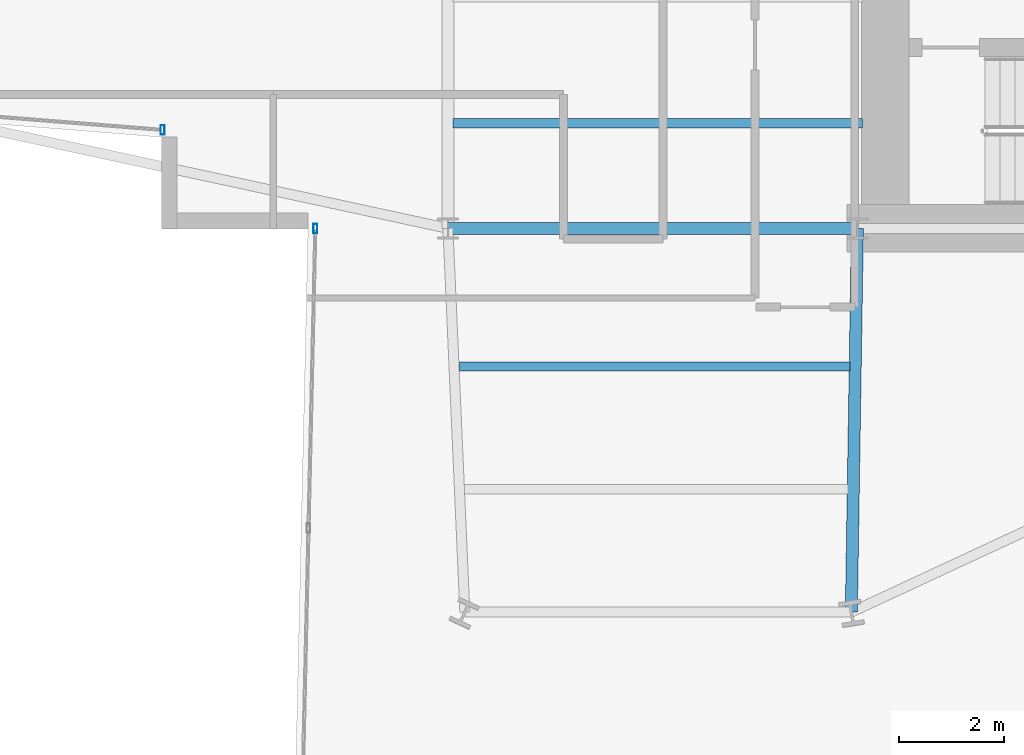
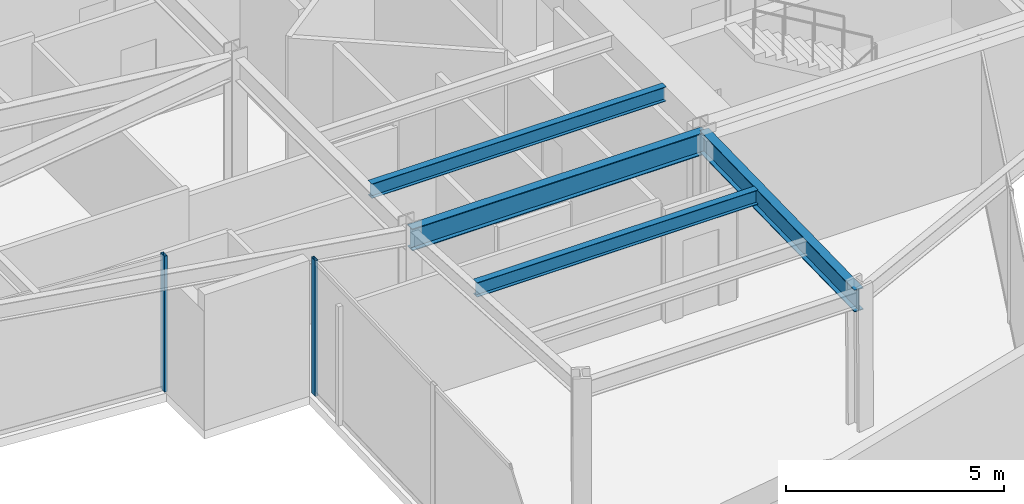
# One storey, part 5 of 27: 4 beams, 2 members, 2 elements without a shape of their own.
"""IFC4 building model written with IfcOpenShell, lengths in metres."""

from ifc_helpers import new_model, si_unit, direction, frame, origin, origin_2d, place, context, subcontext, project, spatial, hollow_rectangle, i_section, extrude, material, layer, layer_set, material_profile, profile_set, type_object, element, aggregate, save


model = new_model("IFC4")

# Units and contexts
model_context = context("Model", 3, precision=1e-05, world=origin(), true_north=direction((0.0, 1.0)))
body_context = subcontext(model_context, "Body", "Model", "MODEL_VIEW")
ifc_project = project(units=[si_unit("LENGTHUNIT", "METRE"), si_unit("AREAUNIT", "SQUARE_METRE"), si_unit("VOLUMEUNIT", "CUBIC_METRE"), si_unit("PLANEANGLEUNIT", "RADIAN"), si_unit("MASSUNIT", "GRAM", prefix="KILO")], contexts=[model_context])

# Site, building, storey
site_placement = place(None, origin())
site = spatial("IfcSite", under=ifc_project, at=site_placement, CompositionType="ELEMENT")
building_placement = place(site_placement, origin())
building = spatial("IfcBuilding", under=site, at=building_placement, Name="Veymaron Broadcast Tower", CompositionType="ELEMENT")
storey_placement = place(building_placement, frame((0.0, 0.0, 86.39990234375)))
storey = spatial("IfcBuildingStorey", under=building, at=storey_placement, Name="L19", CompositionType="ELEMENT", Elevation=86.39990234375)

# Beams
ifc_material_1 = material(Name="Structural steel ASTM A992 Gr 50", Category="steel")
ifc_material_profile_1 = material_profile(ifc_material_1, i_section(OverallWidth=0.22998046875, OverallDepth=0.616943359375, WebThickness=0.01318359375, FlangeThickness=0.022216796875, at=origin_2d()), Name="W610X140")
ifc_profile_set_1 = profile_set([ifc_material_profile_1], Name="Structural steel ASTM A992 Gr 50")
beam_type_1 = type_object("IfcBeamType", Name="BM-FG1", PredefinedType="BEAM", material=ifc_profile_set_1)
beam_1_placement = place(storey_placement, frame((31.199951171875, 16.0, 3.501708984375), z_axis=(1.0, 0.0, 0.0), x_axis=(0.0, 1.0, 0.0)))
element("IfcBeam", 1, at=beam_1_placement, inside=storey, type_object=beam_type_1, Name="L19 primary structural floor girder", PredefinedType="BEAM", context=body_context, shape_type="SweptSolid", body=[
    extrude(i_section(OverallWidth=0.22998046875, OverallDepth=0.616943359375, WebThickness=0.01318359375, FlangeThickness=0.022216796875, at=origin_2d()), origin(), (0.0, 0.0, 1.0), 7.800048828125),
])
beam_2_placement = place(storey_placement, frame((39.0, 16.0, 3.501708984375), z_axis=(-0.015728466279, -0.999876300023, 0.0), x_axis=(0.999876300023, -0.015728466279, 0.0)))
element("IfcBeam", 2, at=beam_2_placement, inside=storey, type_object=beam_type_1, Name="L19 primary structural floor girder", PredefinedType="BEAM", context=body_context, shape_type="SweptSolid", body=[
    extrude(i_section(OverallWidth=0.22998046875, OverallDepth=0.616943359375, WebThickness=0.01318359375, FlangeThickness=0.022216796875, at=origin_2d()), origin(), (0.0, 0.0, 1.0), 7.31103515625),
])
ifc_material_profile_2 = material_profile(ifc_material_1, i_section(OverallWidth=0.177978515625, OverallDepth=0.406982421875, WebThickness=0.0078125, FlangeThickness=0.0126953125, at=origin_2d()), Name="W410X60")
ifc_profile_set_2 = profile_set([ifc_material_profile_2], Name="Structural steel ASTM A992 Gr 50")
beam_type_2 = type_object("IfcBeamType", Name="BM-JS1", PredefinedType="JOIST", material=ifc_profile_set_2)
beam_3_placement = place(storey_placement, frame((31.416015625, 13.368408203125, 3.606689453125), z_axis=(1.0, 0.0, 0.0), x_axis=(0.0, 1.0, 0.0)))
element("IfcBeam", 3, at=beam_3_placement, inside=storey, type_object=beam_type_2, Name="L19 Arm-C secondary joist 1", PredefinedType="JOIST", context=body_context, shape_type="SweptSolid", body=[
    extrude(i_section(OverallWidth=0.177978515625, OverallDepth=0.406982421875, WebThickness=0.0078125, FlangeThickness=0.0126953125, at=origin_2d()), origin(), (0.0, 0.0, 1.0), 7.442626953125),
])
beam_4_placement = place(storey_placement, frame((31.300048828125, 18.0, 3.606689453125), z_axis=(1.0, 0.0, 0.0), x_axis=(0.0, 1.0, 0.0)))
element("IfcBeam", 4, at=beam_4_placement, inside=storey, type_object=beam_type_2, Name="L19 Hub secondary joist 1", PredefinedType="JOIST", context=body_context, shape_type="SweptSolid", body=[
    extrude(i_section(OverallWidth=0.177978515625, OverallDepth=0.406982421875, WebThickness=0.0078125, FlangeThickness=0.0126953125, at=origin_2d()), origin(), (0.0, 0.0, 1.0), 7.800048828125),
])

# Curtain wall, member
ifc_material_2 = material(Name="Anodised aluminium AA 6063-T6 and laminated low-E dark glass", Category="aluminium")
ifc_layer = layer(ifc_material_2, 0.179931640625)
ifc_layer_set = layer_set([ifc_layer], Name="Anodised aluminium AA 6063-T6 and laminated low-E dark glass")
curtain_wall_type = type_object("IfcCurtainWallType", Name="CW-SYS-02", PredefinedType="NOTDEFINED", material=ifc_layer_set)
curtain_wall_1_placement = place(storey_placement, origin())
curtain_wall_1 = element("IfcCurtainWall", 5, at=curtain_wall_1_placement, inside=storey, type_object=curtain_wall_type, Name="L19 dark-glass curtain wall CW-L19-E14-1", PredefinedType="NOTDEFINED")
ifc_material_3 = material(Name="Anodised aluminium AA 6063-T6", Category="aluminium")
ifc_material_profile_3 = material_profile(ifc_material_3, hollow_rectangle(XDim=0.074951171875, YDim=0.179931640625, WallThickness=0.0048828125, at=origin_2d()), Name="AL180X75X5")
ifc_profile_set_3 = profile_set([ifc_material_profile_3], Name="Anodised aluminium AA 6063-T6")
member_type = type_object("IfcMemberType", Name="CW-MUL-02", PredefinedType="MULLION", material=ifc_profile_set_3)
member_1_placement = place(storey_placement, frame((25.76318359375, 17.87548828125, 0.0), z_axis=(0.0, 0.0, 1.0), x_axis=(1.0, 0.0, 0.0)))
member_1 = element("IfcMember", 6, at=member_1_placement, type_object=member_type, Name="CW-L19-E14-1 mullion 2", PredefinedType="MULLION", context=body_context, shape_type="SweptSolid", body=[
    extrude(hollow_rectangle(XDim=0.074951171875, YDim=0.179931640625, WallThickness=0.0048828125, at=origin_2d()), origin(), (0.0, 0.0, 1.0), 3.81005859375),
])
aggregate(curtain_wall_1, [member_1])

curtain_wall_2_placement = place(storey_placement, origin())
curtain_wall_2 = element("IfcCurtainWall", 7, at=curtain_wall_2_placement, inside=storey, type_object=curtain_wall_type, Name="L19 dark-glass curtain wall CW-L19-E17-1", PredefinedType="NOTDEFINED")
member_2_placement = place(storey_placement, frame((28.673828125, 15.996826171875, 0.0), z_axis=(0.0, 0.0, 1.0), x_axis=(1.0, 0.0, 0.0)))
member_2 = element("IfcMember", 8, at=member_2_placement, type_object=member_type, Name="CW-L19-E17-1 mullion 0", PredefinedType="MULLION", context=body_context, shape_type="SweptSolid", body=[
    extrude(hollow_rectangle(XDim=0.074951171875, YDim=0.179931640625, WallThickness=0.0048828125, at=origin_2d()), origin(), (0.0, 0.0, 1.0), 3.81005859375),
])
aggregate(curtain_wall_2, [member_2])

save(model, "model.ifc")
